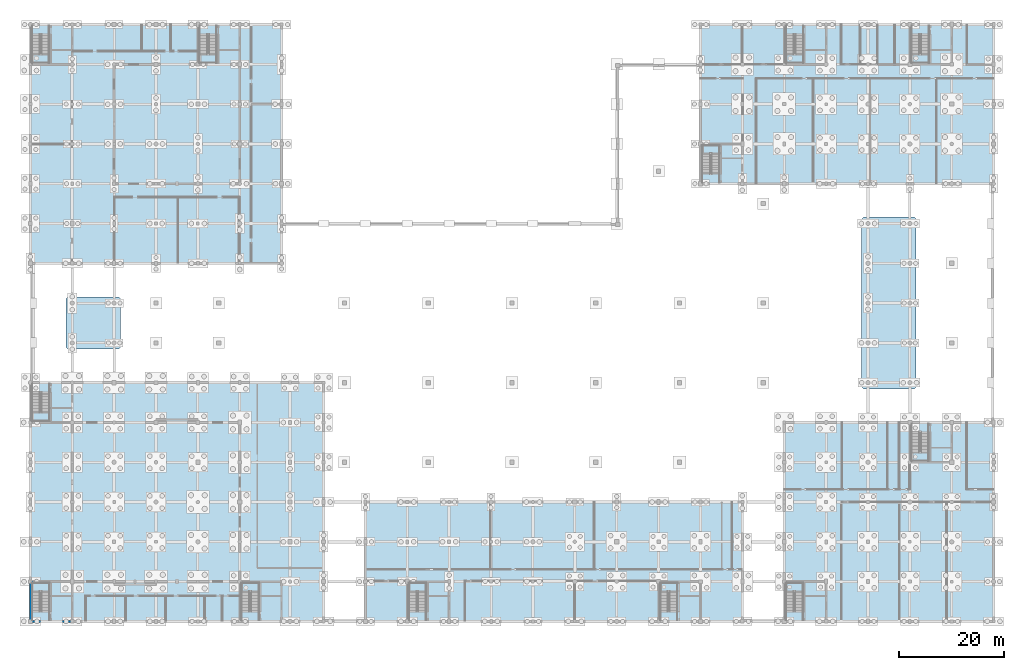
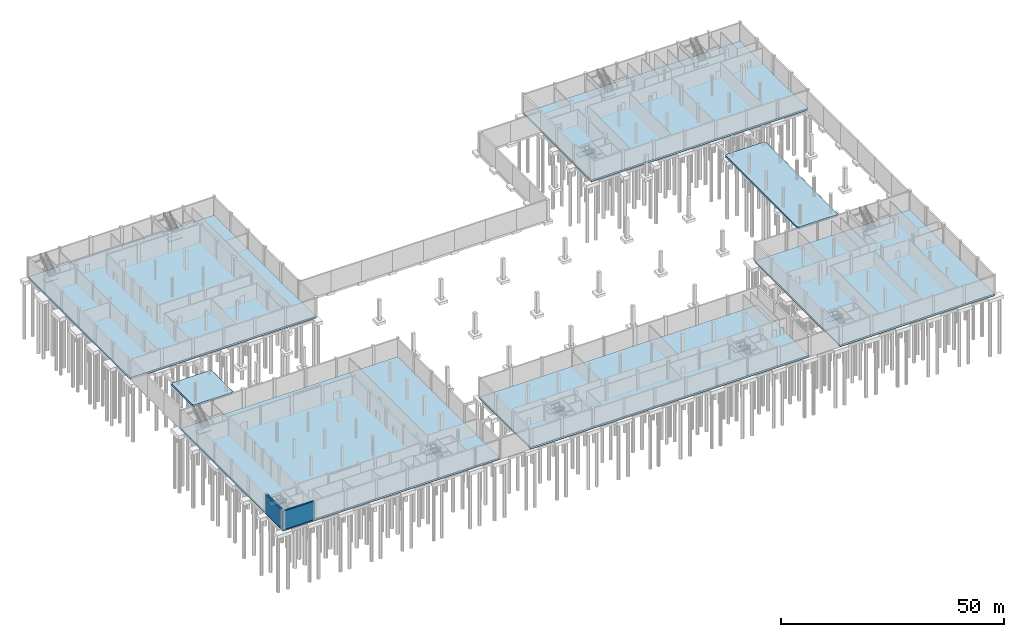
# One storey, part 22 of 44: 19 slabs, 3 walls, 12 elements without a shape of their own.
"""IFC4 building model written with IfcOpenShell, lengths in metres."""

from ifc_helpers import new_model, si_unit, direction, frame, frame_2d, origin, origin_with_axes, place, context, subcontext, project, spatial, polyline, rectangle, outline, extrude, material, layer, layer_set, type_object, element, aggregate, save


model = new_model("IFC4")

# Units and contexts
model_context = context("Model", 3, precision=1e-05, world=origin(), true_north=direction((0.0, 1.0)))
body_context = subcontext(model_context, "Body", "Model", "MODEL_VIEW")
ifc_project = project(units=[si_unit("LENGTHUNIT", "METRE"), si_unit("AREAUNIT", "SQUARE_METRE"), si_unit("VOLUMEUNIT", "CUBIC_METRE"), si_unit("PLANEANGLEUNIT", "RADIAN"), si_unit("MASSUNIT", "GRAM", prefix="KILO")], contexts=[model_context])

# Site, building, storey
site_placement = place(None, origin())
site = spatial("IfcSite", under=ifc_project, at=site_placement, CompositionType="ELEMENT")
building_placement = place(site_placement, origin())
building = spatial("IfcBuilding", under=site, at=building_placement, Name="Khelvaren Railside Concert Hall", CompositionType="ELEMENT")
storey_placement = place(building_placement, frame((0.0, 0.0, -5.39990234375)))
storey = spatial("IfcBuildingStorey", under=building, at=storey_placement, Name="B1", CompositionType="ELEMENT", Elevation=-5.39990234375)

# Slabs
ifc_material_1 = material(Name="Concrete C35/45", Category="concrete")
ifc_layer_1 = layer(ifc_material_1, 0.5)
ifc_layer_set_1 = layer_set([ifc_layer_1], Name="Concrete C35/45")
slab_type_1 = type_object("IfcSlabType", Name="BS15", PredefinedType="BASESLAB", material=ifc_layer_set_1)
slab_1_placement = place(storey_placement, frame((0.0, 0.0, -0.5)))
element("IfcSlab", 1, at=slab_1_placement, inside=storey, type_object=slab_type_1, Name="V1 Basement Base Slab", PredefinedType="BASESLAB", context=body_context, shape_type="SweptSolid", body=[
    extrude(outline(polyline([(0.0, 0.0), (56.0, 0.0), (56.0, 45.60009765625), (0.0, 45.60009765625), (0.0, 0.0)])), origin(), (0.0, 0.0, 1.0), 0.5),
])
slab_2_placement = place(storey_placement, frame((0.0, 0.0, -0.5)))
element("IfcSlab", 2, at=slab_2_placement, inside=storey, type_object=slab_type_1, Name="V2 Basement Base Slab", PredefinedType="BASESLAB", context=body_context, shape_type="SweptSolid", body=[
    extrude(outline(polyline([(144.0, 0.0), (184.0, 0.0), (184.0, 38.0), (144.0, 38.0), (144.0, 0.0)])), origin(), (0.0, 0.0, 1.0), 0.5),
])
slab_3_placement = place(storey_placement, frame((0.0, 0.0, -0.5)))
element("IfcSlab", 3, at=slab_3_placement, inside=storey, type_object=slab_type_1, Name="V3 Basement Base Slab", PredefinedType="BASESLAB", context=body_context, shape_type="SweptSolid", body=[
    extrude(outline(polyline([(64.0, 0.0), (136.0, 0.0), (136.0, 22.800048828125), (64.0, 22.800048828125), (64.0, 0.0)])), origin(), (0.0, 0.0, 1.0), 0.5),
])
slab_4_placement = place(storey_placement, frame((0.0, 0.0, -0.5)))
element("IfcSlab", 4, at=slab_4_placement, inside=storey, type_object=slab_type_1, Name="V4 Basement Base Slab", PredefinedType="BASESLAB", context=body_context, shape_type="SweptSolid", body=[
    extrude(outline(polyline([(0.0, 68.39990234375), (48.0, 68.39990234375), (48.0, 114.0), (0.0, 114.0), (0.0, 68.39990234375)])), origin(), (0.0, 0.0, 1.0), 0.5),
])
slab_5_placement = place(storey_placement, frame((0.0, 0.0, -0.5)))
element("IfcSlab", 5, at=slab_5_placement, inside=storey, type_object=slab_type_1, Name="V5 Basement Base Slab", PredefinedType="BASESLAB", context=body_context, shape_type="SweptSolid", body=[
    extrude(outline(polyline([(128.0, 83.60009765625), (184.0, 83.60009765625), (184.0, 114.0), (128.0, 114.0), (128.0, 83.60009765625)])), origin(), (0.0, 0.0, 1.0), 0.5),
])
slab_6_placement = place(storey_placement, frame((0.0, 0.0, -0.5)))
element("IfcSlab", 6, at=slab_6_placement, inside=storey, type_object=slab_type_1, Name="LB3 Court Pier Base Slab", PredefinedType="BASESLAB", context=body_context, shape_type="SweptSolid", body=[
    extrude(outline(polyline([(7.14990234375, 52.0), (16.85009765625, 52.0), (17.199951171875, 52.35009765625), (17.199951171875, 61.64990234375), (16.85009765625, 62.0), (7.14990234375, 62.0), (6.800048828125, 61.64990234375), (6.800048828125, 52.35009765625), (7.14990234375, 52.0)])), origin(), (0.0, 0.0, 1.0), 0.5),
])
slab_7_placement = place(storey_placement, frame((0.0, 0.0, -0.5)))
element("IfcSlab", 7, at=slab_7_placement, inside=storey, type_object=slab_type_1, Name="LB4 Court Pier Base Slab", PredefinedType="BASESLAB", context=body_context, shape_type="SweptSolid", body=[
    extrude(outline(polyline([(159.14990234375, 44.39990234375), (168.85009765625, 44.39990234375), (169.199951171875, 44.75), (169.199951171875, 76.85009765625), (168.85009765625, 77.199951171875), (159.14990234375, 77.199951171875), (158.800048828125, 76.85009765625), (158.800048828125, 44.75), (159.14990234375, 44.39990234375)])), origin(), (0.0, 0.0, 1.0), 0.5),
])

# Stair, slab
ifc_material_2 = material(Name="Concrete C40/50", Category="concrete")
stair_type_1 = type_object("IfcStairType", Name="ST31", PredefinedType="HALF_TURN_STAIR", material=ifc_material_2)
stair_1_placement = place(storey_placement, origin())
stair_1 = element("IfcStair", 8, at=stair_1_placement, inside=storey, type_object=stair_type_1, Name="B1 Core Exit Stair ST-01", PredefinedType="HALF_TURN_STAIR")
ifc_layer_2 = layer(ifc_material_2, 0.199951171875)
ifc_layer_set_2 = layer_set([ifc_layer_2], Name="Concrete C40/50")
slab_type_2 = type_object("IfcSlabType", Name="LND67", PredefinedType="LANDING", material=ifc_layer_set_2)
slab_8_placement = place(storey_placement, frame((0.0, 0.0, 2.5)))
slab_8 = element("IfcSlab", 9, at=slab_8_placement, type_object=slab_type_2, Name="ST-01 landing 1", PredefinedType="LANDING", context=body_context, shape_type="SweptSolid", body=[
    extrude(outline(polyline([(3.699951171875, 5.760009765625), (3.699951171875, 7.360107421875), (0.300048828125, 7.360107421875), (0.300048828125, 5.760009765625), (3.699951171875, 5.760009765625)])), origin(), (0.0, 0.0, 1.0), 0.199951171875),
])
aggregate(stair_1, [slab_8])

stair_2_placement = place(storey_placement, origin())
stair_2 = element("IfcStair", 10, at=stair_2_placement, inside=storey, type_object=stair_type_1, Name="B1 Core Exit Stair ST-02", PredefinedType="HALF_TURN_STAIR")
slab_9_placement = place(storey_placement, frame((0.0, 0.0, 2.5)))
slab_9 = element("IfcSlab", 11, at=slab_9_placement, type_object=slab_type_2, Name="ST-02 landing 1", PredefinedType="LANDING", context=body_context, shape_type="SweptSolid", body=[
    extrude(outline(polyline([(43.699951171875, 5.760009765625), (43.699951171875, 7.360107421875), (40.300048828125, 7.360107421875), (40.300048828125, 5.760009765625), (43.699951171875, 5.760009765625)])), origin(), (0.0, 0.0, 1.0), 0.199951171875),
])
aggregate(stair_2, [slab_9])

stair_3_placement = place(storey_placement, origin())
stair_3 = element("IfcStair", 12, at=stair_3_placement, inside=storey, type_object=stair_type_1, Name="B1 Core Exit Stair ST-11", PredefinedType="HALF_TURN_STAIR")
slab_10_placement = place(storey_placement, frame((0.0, 0.0, 2.5)))
slab_10 = element("IfcSlab", 13, at=slab_10_placement, type_object=slab_type_2, Name="ST-11 landing 1", PredefinedType="LANDING", context=body_context, shape_type="SweptSolid", body=[
    extrude(outline(polyline([(0.300048828125, 39.840087890625), (0.300048828125, 38.239990234375), (3.699951171875, 38.239990234375), (3.699951171875, 39.840087890625), (0.300048828125, 39.840087890625)])), origin(), (0.0, 0.0, 1.0), 0.199951171875),
])
aggregate(stair_3, [slab_10])

stair_type_2 = type_object("IfcStairType", Name="ST11", PredefinedType="HALF_TURN_STAIR", material=ifc_material_2)
stair_4_placement = place(storey_placement, origin())
stair_4 = element("IfcStair", 14, at=stair_4_placement, inside=storey, type_object=stair_type_2, Name="B1 Core Exit Stair ST-03", PredefinedType="HALF_TURN_STAIR")
slab_11_placement = place(storey_placement, frame((0.0, 0.0, 2.5)))
slab_11 = element("IfcSlab", 15, at=slab_11_placement, type_object=slab_type_2, Name="ST-03 landing 1", PredefinedType="LANDING", context=body_context, shape_type="SweptSolid", body=[
    extrude(outline(polyline([(147.6201171875, 5.760009765625), (147.6201171875, 7.360107421875), (144.300048828125, 7.360107421875), (144.300048828125, 5.760009765625), (147.6201171875, 5.760009765625)])), origin(), (0.0, 0.0, 1.0), 0.199951171875),
])
aggregate(stair_4, [slab_11])

stair_5_placement = place(storey_placement, origin())
stair_5 = element("IfcStair", 16, at=stair_5_placement, inside=storey, type_object=stair_type_2, Name="B1 Core Exit Stair ST-04", PredefinedType="HALF_TURN_STAIR")
slab_12_placement = place(storey_placement, frame((0.0, 0.0, 2.5)))
slab_12 = element("IfcSlab", 17, at=slab_12_placement, type_object=slab_type_2, Name="ST-04 landing 1", PredefinedType="LANDING", context=body_context, shape_type="SweptSolid", body=[
    extrude(outline(polyline([(168.300048828125, 32.239990234375), (168.300048828125, 30.639892578125), (171.6201171875, 30.639892578125), (171.6201171875, 32.239990234375), (168.300048828125, 32.239990234375)])), origin(), (0.0, 0.0, 1.0), 0.199951171875),
])
aggregate(stair_5, [slab_12])

stair_6_placement = place(storey_placement, origin())
stair_6 = element("IfcStair", 18, at=stair_6_placement, inside=storey, type_object=stair_type_2, Name="B1 Core Exit Stair ST-05", PredefinedType="HALF_TURN_STAIR")
slab_13_placement = place(storey_placement, frame((0.0, 0.0, 2.5)))
slab_13 = element("IfcSlab", 19, at=slab_13_placement, type_object=slab_type_2, Name="ST-05 landing 1", PredefinedType="LANDING", context=body_context, shape_type="SweptSolid", body=[
    extrude(outline(polyline([(75.6201171875, 5.760009765625), (75.6201171875, 7.360107421875), (72.300048828125, 7.360107421875), (72.300048828125, 5.760009765625), (75.6201171875, 5.760009765625)])), origin(), (0.0, 0.0, 1.0), 0.199951171875),
])
aggregate(stair_6, [slab_13])

stair_7_placement = place(storey_placement, origin())
stair_7 = element("IfcStair", 20, at=stair_7_placement, inside=storey, type_object=stair_type_2, Name="B1 Core Exit Stair ST-06", PredefinedType="HALF_TURN_STAIR")
slab_14_placement = place(storey_placement, frame((0.0, 0.0, 2.5)))
slab_14 = element("IfcSlab", 21, at=slab_14_placement, type_object=slab_type_2, Name="ST-06 landing 1", PredefinedType="LANDING", context=body_context, shape_type="SweptSolid", body=[
    extrude(outline(polyline([(123.6201171875, 5.760009765625), (123.6201171875, 7.360107421875), (120.300048828125, 7.360107421875), (120.300048828125, 5.760009765625), (123.6201171875, 5.760009765625)])), origin(), (0.0, 0.0, 1.0), 0.199951171875),
])
aggregate(stair_7, [slab_14])

stair_8_placement = place(storey_placement, origin())
stair_8 = element("IfcStair", 22, at=stair_8_placement, inside=storey, type_object=stair_type_2, Name="B1 Core Exit Stair ST-07", PredefinedType="HALF_TURN_STAIR")
slab_15_placement = place(storey_placement, frame((0.0, 0.0, 2.5)))
slab_15 = element("IfcSlab", 23, at=slab_15_placement, type_object=slab_type_2, Name="ST-07 landing 1", PredefinedType="LANDING", context=body_context, shape_type="SweptSolid", body=[
    extrude(outline(polyline([(0.300048828125, 108.239990234375), (0.300048828125, 106.639892578125), (3.6201171875, 106.639892578125), (3.6201171875, 108.239990234375), (0.300048828125, 108.239990234375)])), origin(), (0.0, 0.0, 1.0), 0.199951171875),
])
aggregate(stair_8, [slab_15])

stair_9_placement = place(storey_placement, origin())
stair_9 = element("IfcStair", 24, at=stair_9_placement, inside=storey, type_object=stair_type_2, Name="B1 Core Exit Stair ST-08", PredefinedType="HALF_TURN_STAIR")
slab_16_placement = place(storey_placement, frame((0.0, 0.0, 2.5)))
slab_16 = element("IfcSlab", 25, at=slab_16_placement, type_object=slab_type_2, Name="ST-08 landing 1", PredefinedType="LANDING", context=body_context, shape_type="SweptSolid", body=[
    extrude(outline(polyline([(32.300048828125, 108.239990234375), (32.300048828125, 106.639892578125), (35.6201171875, 106.639892578125), (35.6201171875, 108.239990234375), (32.300048828125, 108.239990234375)])), origin(), (0.0, 0.0, 1.0), 0.199951171875),
])
aggregate(stair_9, [slab_16])

stair_10_placement = place(storey_placement, origin())
stair_10 = element("IfcStair", 26, at=stair_10_placement, inside=storey, type_object=stair_type_1, Name="B1 Core Exit Stair ST-09", PredefinedType="HALF_TURN_STAIR")
slab_17_placement = place(storey_placement, frame((0.0, 0.0, 2.5)))
slab_17 = element("IfcSlab", 27, at=slab_17_placement, type_object=slab_type_2, Name="ST-09 landing 1", PredefinedType="LANDING", context=body_context, shape_type="SweptSolid", body=[
    extrude(outline(polyline([(144.300048828125, 108.239990234375), (144.300048828125, 106.639892578125), (147.699951171875, 106.639892578125), (147.699951171875, 108.239990234375), (144.300048828125, 108.239990234375)])), origin(), (0.0, 0.0, 1.0), 0.199951171875),
])
aggregate(stair_10, [slab_17])

stair_11_placement = place(storey_placement, origin())
stair_11 = element("IfcStair", 28, at=stair_11_placement, inside=storey, type_object=stair_type_1, Name="B1 Core Exit Stair ST-10", PredefinedType="HALF_TURN_STAIR")
slab_18_placement = place(storey_placement, frame((0.0, 0.0, 2.5)))
slab_18 = element("IfcSlab", 29, at=slab_18_placement, type_object=slab_type_2, Name="ST-10 landing 1", PredefinedType="LANDING", context=body_context, shape_type="SweptSolid", body=[
    extrude(outline(polyline([(168.300048828125, 108.239990234375), (168.300048828125, 106.639892578125), (171.699951171875, 106.639892578125), (171.699951171875, 108.239990234375), (168.300048828125, 108.239990234375)])), origin(), (0.0, 0.0, 1.0), 0.199951171875),
])
aggregate(stair_11, [slab_18])

stair_12_placement = place(storey_placement, origin())
stair_12 = element("IfcStair", 30, at=stair_12_placement, inside=storey, type_object=stair_type_1, Name="B1 Core Exit Stair ST-12", PredefinedType="HALF_TURN_STAIR")
slab_19_placement = place(storey_placement, frame((0.0, 0.0, 2.5)))
slab_19 = element("IfcSlab", 31, at=slab_19_placement, type_object=slab_type_2, Name="ST-12 landing 1", PredefinedType="LANDING", context=body_context, shape_type="SweptSolid", body=[
    extrude(outline(polyline([(131.699951171875, 89.360107421875), (131.699951171875, 90.9599609375), (128.300048828125, 90.9599609375), (128.300048828125, 89.360107421875), (131.699951171875, 89.360107421875)])), origin(), (0.0, 0.0, 1.0), 0.199951171875),
])
aggregate(stair_12, [slab_19])

# Walls
ifc_layer_3 = layer(ifc_material_2, 0.139892578125)
ifc_layer_set_3 = layer_set([ifc_layer_3], Name="Concrete C40/50")
wall_type_1 = type_object("IfcWallType", Name="CW17", PredefinedType="SOLIDWALL", material=ifc_layer_set_3)
wall_1_placement = place(storey_placement, frame((0.27490234375, 0.14990234375, 0.0), z_axis=(0.0, 0.0, 1.0), x_axis=(0.0, 1.0, 0.0)))
element("IfcWall", 32, at=wall_1_placement, inside=storey, type_object=wall_type_1, Name="Core Shaft Structural Liner Wall ST-01-B1", PredefinedType="SOLIDWALL", context=body_context, shape_type="SweptSolid", body=[
    extrude(rectangle(XDim=7.300048828125, YDim=0.139892578125, at=frame_2d((3.64990234375, 0.0))), origin(), (0.0, 0.0, 1.0), 5.079833984375),
])
ifc_layer_4 = layer(ifc_material_2, 0.39990234375)
ifc_layer_set_4 = layer_set([ifc_layer_4], Name="Concrete C40/50")
wall_type_2 = type_object("IfcWallType", Name="RW96", PredefinedType="USERDEFINED", material=ifc_layer_set_4)
wall_2_placement = place(storey_placement, origin_with_axes())
element("IfcWall", 33, at=wall_2_placement, inside=storey, type_object=wall_type_2, Name="V1 Basement Retaining Wall S01", ObjectType="RETAINING WALL", PredefinedType="USERDEFINED", context=body_context, shape_type="SweptSolid", body=[
    extrude(rectangle(XDim=8.0, YDim=0.39990234375, at=frame_2d((4.0, 0.0))), origin(), (0.0, 0.0, 1.0), 5.079833984375),
])
wall_3_placement = place(storey_placement, frame((0.0, 7.60009765625, 0.0), z_axis=(0.0, 0.0, 1.0), x_axis=(0.0, -1.0, 0.0)))
element("IfcWall", 34, at=wall_3_placement, inside=storey, type_object=wall_type_2, Name="V1 Basement Retaining Wall W01", ObjectType="RETAINING WALL", PredefinedType="USERDEFINED", context=body_context, shape_type="SweptSolid", body=[
    extrude(rectangle(XDim=7.60009765625, YDim=0.39990234375, at=frame_2d((3.800048828125, 0.0))), origin(), (0.0, 0.0, 1.0), 5.079833984375),
])

save(model, "model.ifc")
